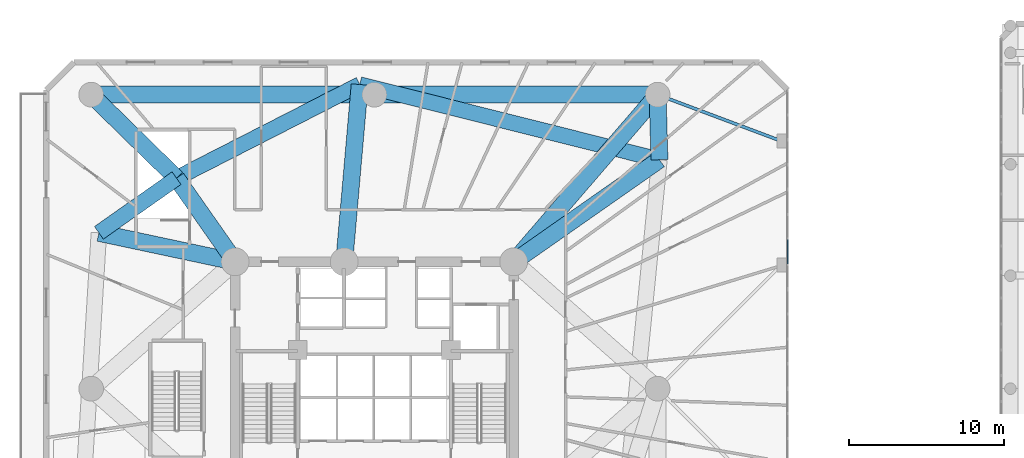
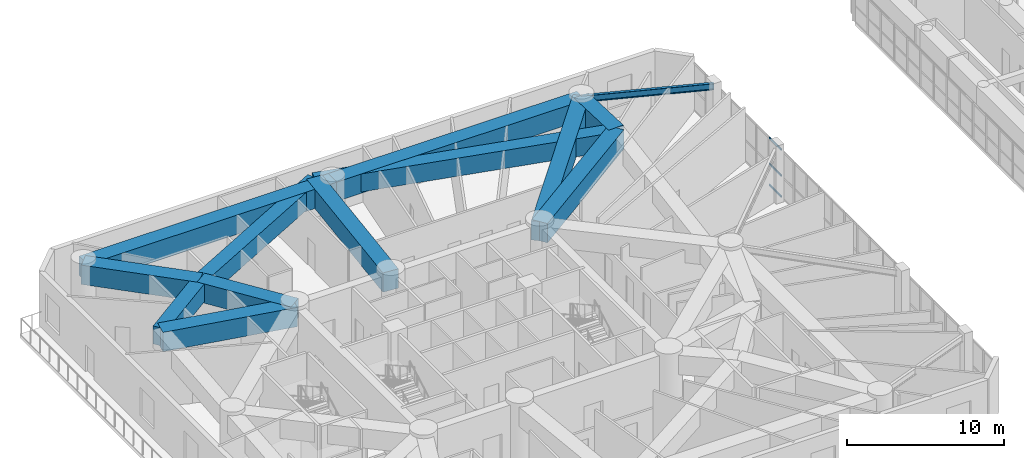
# One storey, part 6 of 22: 13 beams, 3 members, 1 element without a shape of its own.
"""IFC4 building model written with IfcOpenShell, lengths in metres."""

from ifc_helpers import new_model, si_unit, direction, frame, origin, origin_with_axes, origin_2d, place, context, subcontext, project, spatial, rectangle, i_section, extrude, source, transform, mapped, material, layer, layer_set, material_profile, profile_set, type_object, element, aggregate, save


model = new_model("IFC4")

# Units and contexts
model_context = context("Model", 3, precision=1e-05, world=origin(), true_north=direction((0.0, 1.0)))
body_context = subcontext(model_context, "Body", "Model", "MODEL_VIEW")
ifc_project = project(units=[si_unit("LENGTHUNIT", "METRE"), si_unit("AREAUNIT", "SQUARE_METRE"), si_unit("VOLUMEUNIT", "CUBIC_METRE"), si_unit("PLANEANGLEUNIT", "RADIAN"), si_unit("MASSUNIT", "GRAM", prefix="KILO")], contexts=[model_context])

# Site, building, storey
site_placement = place(None, origin())
site = spatial("IfcSite", under=ifc_project, at=site_placement, CompositionType="ELEMENT")
building_placement = place(site_placement, origin())
building = spatial("IfcBuilding", under=site, at=building_placement, Name="Karkom Vertical University and Central Library", CompositionType="ELEMENT")
storey_placement = place(building_placement, frame((0.0, 0.0, 18.0)))
storey = spatial("IfcBuildingStorey", under=building, at=storey_placement, Name="L04", CompositionType="ELEMENT", Elevation=18.0)

# Beams
ifc_material_1 = material(Name="Steel S355", Category="steel")
ifc_material_profile_1 = material_profile(ifc_material_1, i_section(OverallWidth=0.199951171875, OverallDepth=0.5, WebThickness=0.01025390625, FlangeThickness=0.01611328125, FilletRadius=0.02099609375, at=origin_2d()), Name="IPE 500")
ifc_profile_set_1 = profile_set([ifc_material_profile_1], Name="Steel S355")
beam_type_1 = type_object("IfcBeamType", Name="STR-BM-SB-IPE500", PredefinedType="BEAM", material=ifc_profile_set_1)
shared_shape_1 = source(origin_with_axes(), body_context, "Body", "SweptSolid", [
    extrude(i_section(OverallWidth=0.199951171875, OverallDepth=0.5, WebThickness=0.01025390625, FlangeThickness=0.01611328125, FilletRadius=0.02099609375, at=origin_2d()), origin(), (0.0, 0.0, 1.0), 8.5439453125),
])
beam_1_placement = place(storey_placement, frame((46.800048828125, 45.5, 3.97509765625), z_axis=(0.936329177569, -0.351123441588, 0.0), x_axis=(0.351123441588, 0.936329177569, 0.0)))
element("IfcBeam", 1, at=beam_1_placement, inside=storey, type_object=beam_type_1, Name="Level 04 Arcade Tie Beam 4", PredefinedType="BEAM", context=body_context, shape_type="MappedRepresentation", body=[
    mapped(shared_shape_1, transform((0.0, 0.0, 0.0), scale=1.0)),
])
ifc_material_2 = material(Name="Concrete C50/60", Category="concrete")
ifc_material_profile_2 = material_profile(ifc_material_2, rectangle(XDim=1.10009765625, YDim=1.5, at=origin_2d()), Name="TG-1100x1500")
ifc_profile_set_2 = profile_set([ifc_material_profile_2], Name="Concrete C50/60")
beam_type_2 = type_object("IfcBeamType", Name="STR-BM-TG-1", PredefinedType="USERDEFINED", material=ifc_profile_set_2)
shared_shape_2 = source(origin_with_axes(), body_context, "Body", "SweptSolid", [
    extrude(rectangle(XDim=1.10009765625, YDim=1.5, at=origin_2d()), origin(), (0.0, 0.0, 1.0), 11.49951171875),
])
beam_2_placement = place(storey_placement, frame((37.5, 34.699951171875, 3.47509765625), z_axis=(0.81915012564, 0.573579176457, 0.0), x_axis=(-0.573579176457, 0.81915012564, 0.0)))
element("IfcBeam", 2, at=beam_2_placement, inside=storey, type_object=beam_type_2, Name="Level 05 Transfer Girder SC-02", ObjectType="GIRDER", PredefinedType="USERDEFINED", context=body_context, shape_type="MappedRepresentation", body=[
    mapped(shared_shape_2, transform((0.0, 0.0, 0.0), scale=1.0)),
])
shared_shape_3 = source(origin_with_axes(), body_context, "Body", "SweptSolid", [
    extrude(rectangle(XDim=1.10009765625, YDim=1.5, at=origin_2d()), origin(), (0.0, 0.0, 1.0), 4.205810546875),
])
beam_3_placement = place(storey_placement, frame((46.800048828125, 45.5, 3.47509765625), z_axis=(0.028501772782, -0.999593741951, 0.0), x_axis=(0.999593741951, 0.028501772782, 0.0)))
element("IfcBeam", 3, at=beam_3_placement, inside=storey, type_object=beam_type_2, Name="Level 05 Transfer Girder PMC-02", ObjectType="GIRDER", PredefinedType="USERDEFINED", context=body_context, shape_type="MappedRepresentation", body=[
    mapped(shared_shape_3, transform((0.0, 0.0, 0.0), scale=1.0)),
])
shared_shape_4 = source(origin_with_axes(), body_context, "Body", "SweptSolid", [
    extrude(rectangle(XDim=1.10009765625, YDim=1.5, at=origin_2d()), origin(), (0.0, 0.0, 1.0), 11.499755859375),
])
beam_4_placement = place(storey_placement, frame((26.550048828125, 34.699951171875, 3.47509765625), z_axis=(0.087127973109, 0.99619712723, 0.0), x_axis=(-0.99619712723, 0.087127973109, 0.0)))
element("IfcBeam", 4, at=beam_4_placement, inside=storey, type_object=beam_type_2, Name="Level 05 Transfer Girder SC-03", ObjectType="GIRDER", PredefinedType="USERDEFINED", context=body_context, shape_type="MappedRepresentation", body=[
    mapped(shared_shape_4, transform((0.0, 0.0, 0.0), scale=1.0)),
])
shared_shape_5 = source(origin_with_axes(), body_context, "Body", "SweptSolid", [
    extrude(rectangle(XDim=1.10009765625, YDim=1.5, at=origin_2d()), origin(), (0.0, 0.0, 1.0), 6.599853515625),
])
beam_5_placement = place(storey_placement, frame((19.5, 34.699951171875, 3.47509765625), z_axis=(-0.573633636671, 0.819111989218, 0.0), x_axis=(-0.819111989218, -0.573633636671, 0.0)))
element("IfcBeam", 5, at=beam_5_placement, inside=storey, type_object=beam_type_2, Name="Level 05 Transfer Girder SC-04", ObjectType="GIRDER", PredefinedType="USERDEFINED", context=body_context, shape_type="MappedRepresentation", body=[
    mapped(shared_shape_5, transform((0.0, 0.0, 0.0), scale=1.0)),
])
shared_shape_6 = source(origin_with_axes(), body_context, "Body", "SweptSolid", [
    extrude(rectangle(XDim=1.10009765625, YDim=1.5, at=origin_2d()), origin(), (0.0, 0.0, 1.0), 7.713623046875),
])
beam_6_placement = place(storey_placement, frame((10.199951171875, 45.5, 3.47509765625), z_axis=(0.714849846646, -0.699277982458, 0.0), x_axis=(0.699277982458, 0.714849846646, 0.0)))
element("IfcBeam", 6, at=beam_6_placement, inside=storey, type_object=beam_type_2, Name="Level 05 Transfer Girder PMC-04", ObjectType="GIRDER", PredefinedType="USERDEFINED", context=body_context, shape_type="MappedRepresentation", body=[
    mapped(shared_shape_6, transform((0.0, 0.0, 0.0), scale=1.0)),
])
shared_shape_7 = source(origin_with_axes(), body_context, "Body", "SweptSolid", [
    extrude(rectangle(XDim=1.10009765625, YDim=1.5, at=origin_2d()), origin(), (0.0, 0.0, 1.0), 8.999755859375),
])
beam_7_placement = place(storey_placement, frame((19.5, 34.699951171875, 3.47509765625), z_axis=(-0.978148438993, 0.207907747079, 0.0), x_axis=(-0.207907747079, -0.978148438993, 0.0)))
element("IfcBeam", 7, at=beam_7_placement, inside=storey, type_object=beam_type_2, Name="Level 05 Transfer Girder SC-05", ObjectType="GIRDER", PredefinedType="USERDEFINED", context=body_context, shape_type="MappedRepresentation", body=[
    mapped(shared_shape_7, transform((0.0, 0.0, 0.0), scale=1.0)),
])
ifc_material_profile_3 = material_profile(ifc_material_2, rectangle(XDim=1.0, YDim=1.39990234375, at=origin_2d()), Name="TG-1000x1400")
ifc_profile_set_3 = profile_set([ifc_material_profile_3], Name="Concrete C50/60")
beam_type_3 = type_object("IfcBeamType", Name="STR-BM-TG-2", PredefinedType="USERDEFINED", material=ifc_profile_set_3)
shared_shape_8 = source(origin_with_axes(), body_context, "Body", "SweptSolid", [
    extrude(rectangle(XDim=1.0, YDim=1.39990234375, at=origin_2d()), origin(), (0.0, 0.0, 1.0), 19.968505859375),
])
beam_8_placement = place(storey_placement, frame((46.919921875, 41.2958984375, 3.52490234375), z_axis=(-0.969928522391, 0.243389937039, 0.0), x_axis=(-0.243389937039, -0.969928522391, 0.0)))
element("IfcBeam", 8, at=beam_8_placement, inside=storey, type_object=beam_type_3, Name="Level 05 Perimeter Transfer Ring 02", ObjectType="GIRDER", PredefinedType="USERDEFINED", context=body_context, shape_type="MappedRepresentation", body=[
    mapped(shared_shape_8, transform((0.0, 0.0, 0.0), scale=1.0)),
])
shared_shape_9 = source(origin_with_axes(), body_context, "Body", "SweptSolid", [
    extrude(rectangle(XDim=1.0, YDim=1.39990234375, at=origin_2d()), origin(), (0.0, 0.0, 1.0), 13.29443359375),
])
beam_9_placement = place(storey_placement, frame((27.552001953125, 46.156005859375, 3.52490234375), z_axis=(-0.890447746793, -0.455085497716, 0.0), x_axis=(0.455085497716, -0.890447746793, 0.0)))
element("IfcBeam", 9, at=beam_9_placement, inside=storey, type_object=beam_type_3, Name="Level 05 Perimeter Transfer Ring 03", ObjectType="GIRDER", PredefinedType="USERDEFINED", context=body_context, shape_type="MappedRepresentation", body=[
    mapped(shared_shape_9, transform((0.0, 0.0, 0.0), scale=1.0)),
])
shared_shape_10 = source(origin_with_axes(), body_context, "Body", "SweptSolid", [
    extrude(rectangle(XDim=1.0, YDim=1.39990234375, at=origin_2d()), origin(), (0.0, 0.0, 1.0), 6.13720703125),
])
beam_10_placement = place(storey_placement, frame((15.714111328125, 40.10595703125, 3.52490234375), z_axis=(-0.817471365538, -0.575969240955, 0.0), x_axis=(0.575969240955, -0.817471365538, 0.0)))
element("IfcBeam", 10, at=beam_10_placement, inside=storey, type_object=beam_type_3, Name="Level 05 Perimeter Transfer Ring 04", ObjectType="GIRDER", PredefinedType="USERDEFINED", context=body_context, shape_type="MappedRepresentation", body=[
    mapped(shared_shape_10, transform((0.0, 0.0, 0.0), scale=1.0)),
])
shared_shape_11 = source(origin_with_axes(), body_context, "Body", "SweptSolid", [
    extrude(rectangle(XDim=1.10009765625, YDim=1.5, at=origin_2d()), origin(), (0.0, 0.0, 1.0), 18.300048828125),
])
for number, where, z_axis, x_axis, name in (
    (11, (10.199951171875, 45.5, 3.47509765625), (1.0, 0.0, 0.0), (0.0, 1.0, 0.0), "Level 04 Podium Primary Girder 07"),
    (12, (28.5, 45.5, 3.47509765625), (1.0, 0.0, 0.0), (0.0, 1.0, 0.0), "Level 04 Podium Primary Girder 08"),
):
    element("IfcBeam", number, at=place(storey_placement, frame(where, z_axis=z_axis, x_axis=x_axis)), inside=storey, type_object=beam_type_2, Name=name, ObjectType="GIRDER", PredefinedType="USERDEFINED", context=body_context, shape_type="MappedRepresentation", body=[
        mapped(shared_shape_11, transform((0.0, 0.0, 0.0), scale=1.0)),
    ])
shared_shape_12 = source(origin_with_axes(), body_context, "Body", "SweptSolid", [
    extrude(rectangle(XDim=1.10009765625, YDim=1.5, at=origin_2d()), origin(), (0.0, 0.0, 1.0), 14.25244140625),
])
beam_11_placement = place(storey_placement, frame((46.800048828125, 45.5, 3.47509765625), z_axis=(-0.652523408586, -0.757768567076, 0.0), x_axis=(0.757768567076, -0.652523408586, 0.0)))
element("IfcBeam", 13, at=beam_11_placement, inside=storey, type_object=beam_type_2, Name="Level 04 Podium Primary Girder 14", ObjectType="GIRDER", PredefinedType="USERDEFINED", context=body_context, shape_type="MappedRepresentation", body=[
    mapped(shared_shape_12, transform((0.0, 0.0, 0.0), scale=1.0)),
])

# Curtain wall, members
ifc_material_3 = material(Name="Aluminium curtain-wall framing and low-E IGU", Category="aluminium")
ifc_layer = layer(ifc_material_3, 0.199951171875)
ifc_layer_set = layer_set([ifc_layer], Name="Aluminium curtain-wall framing and low-E IGU")
curtain_wall_type = type_object("IfcCurtainWallType", Name="ENV-CW-4", PredefinedType="USERDEFINED", material=ifc_layer_set)
curtain_wall_placement = place(storey_placement, origin())
curtain_wall = element("IfcCurtainWall", 14, at=curtain_wall_placement, inside=storey, type_object=curtain_wall_type, Name="Level 04 CW-4 Curtain Wall Level 04-CW4-3-5", ObjectType="UNITISED GLAZING", PredefinedType="USERDEFINED")
ifc_material_4 = material(Name="Anodised Aluminium 6063-T6", Category="aluminium")
ifc_material_profile_4 = material_profile(ifc_material_4, rectangle(XDim=0.06494140625, YDim=0.135009765625, at=origin_2d()), Name="ALU-T65x135")
ifc_profile_set_4 = profile_set([ifc_material_profile_4], Name="Anodised Aluminium 6063-T6")
member_type = type_object("IfcMemberType", Name="ENV-MEM-ALU-T65x135", PredefinedType="USERDEFINED", material=ifc_profile_set_4)
shared_shape_13 = source(origin_with_axes(), body_context, "Body", "SweptSolid", [
    extrude(rectangle(XDim=0.06494140625, YDim=0.135009765625, at=origin_2d()), origin(), (0.0, 0.0, 1.0), 1.543212890625),
])
member_1_placement = place(storey_placement, frame((55.199951171875, 34.57421875, 0.032470703125), z_axis=(0.0, 1.0, 0.0), x_axis=(-1.0, 0.0, 0.0)))
member_1 = element("IfcMember", 15, at=member_1_placement, type_object=member_type, Name="CW-4 transom 2.1", ObjectType="TRANSOM", PredefinedType="USERDEFINED", context=body_context, shape_type="MappedRepresentation", body=[
    mapped(shared_shape_13, transform((0.0, 0.0, 0.0), scale=1.0)),
])
member_2_placement = place(storey_placement, frame((55.199951171875, 34.57421875, 1.67626953125), z_axis=(0.0, 1.0, 0.0), x_axis=(-1.0, 0.0, 0.0)))
member_2 = element("IfcMember", 16, at=member_2_placement, type_object=member_type, Name="CW-4 transom 2.2", ObjectType="TRANSOM", PredefinedType="USERDEFINED", context=body_context, shape_type="MappedRepresentation", body=[
    mapped(shared_shape_13, transform((0.0, 0.0, 0.0), scale=1.0)),
])
member_3_placement = place(storey_placement, frame((55.199951171875, 34.57421875, 3.6923828125), z_axis=(0.0, 1.0, 0.0), x_axis=(-1.0, 0.0, 0.0)))
member_3 = element("IfcMember", 17, at=member_3_placement, type_object=member_type, Name="CW-4 transom 2.3", ObjectType="TRANSOM", PredefinedType="USERDEFINED", context=body_context, shape_type="MappedRepresentation", body=[
    mapped(shared_shape_13, transform((0.0, 0.0, 0.0), scale=1.0)),
])
aggregate(curtain_wall, [member_1, member_2, member_3])

save(model, "model.ifc")
